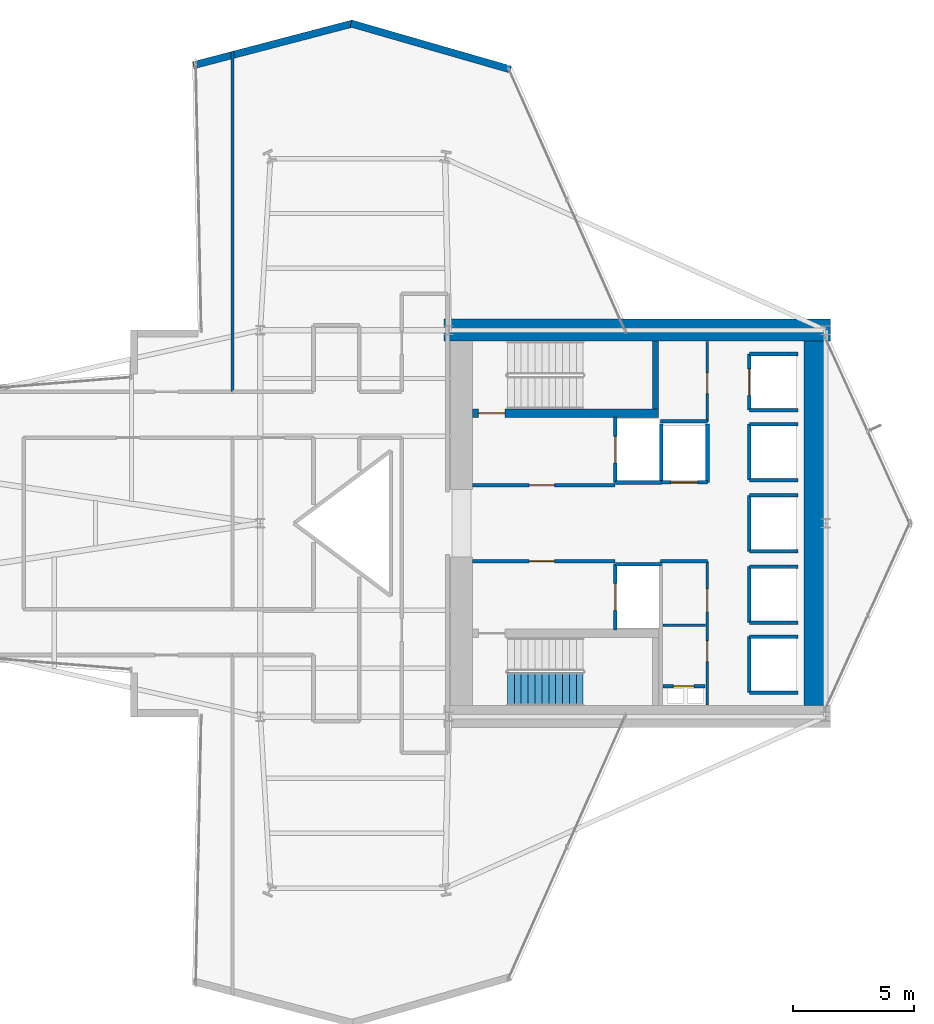
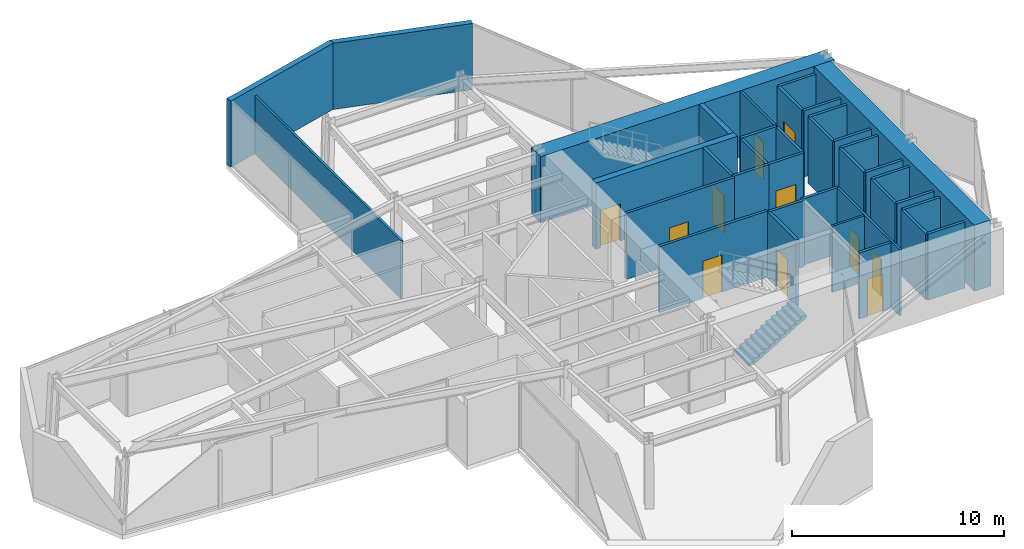
# One storey, part 22 of 24: 37 walls, 11 doors, 1 stair flight, 11 openings, 1 element without a shape of its own.
"""IFC4 building model written with IfcOpenShell, lengths in metres."""

import ifcopenshell
import ifcopenshell.guid

model = None  # the IFC model being written
_history = None  # IfcOwnerHistory: only IFC2X3 demands one
_inside = {}  # id of a spatial element -> (the spatial element, [elements in it])
_under = {}  # id of a project, library or spatial element -> (it, [spatial elements below it])
_declared = {}  # id of a project -> (the project, [libraries it declares])
_typed = {}  # id of a type object -> (the type object, [elements of that type])
_made_of = {}  # id of a material, layer set ... -> (it, [elements and type objects made of it])


def new_model(schema):
    """Start an empty IFC model of exactly this schema.

    Asked for "IFC4X3", IfcOpenShell would pick the latest addendum, in which some entities
    have other attributes; the version numbers below select the first issue.
    IFC2X3 requires an IfcOwnerHistory on every rooted entity: one is made here for all.
    """
    global model, _history
    if schema == "IFC4X3":
        model = ifcopenshell.file(schema_version=(4, 3, 0, 0))
    else:
        model = ifcopenshell.file(schema=schema)
    _inside.clear()
    _under.clear()
    _declared.clear()
    _typed.clear()
    _made_of.clear()
    _history = None
    if model.schema == "IFC2X3":
        org = make("IfcOrganization", Name="unknown")
        user = make(
            "IfcPersonAndOrganization",
            ThePerson=make("IfcPerson", FamilyName="unknown"),
            TheOrganization=org,
        )
        app = make(
            "IfcApplication",
            ApplicationDeveloper=org,
            Version="unknown",
            ApplicationFullName="unknown",
            ApplicationIdentifier="unknown",
        )
        _history = make(
            "IfcOwnerHistory",
            OwningUser=user,
            OwningApplication=app,
            ChangeAction="ADDED",
            CreationDate=0,
        )
    return model


def make(cls, **values):
    """One entity of the class cls with the attributes given. An attribute that is None is left unset."""
    return model.create_entity(
        cls, **{name: value for name, value in values.items() if value is not None}
    )


def rooted(cls, **values):
    """An entity with a GlobalId (a new one), such as an element, a storey or a relation."""
    return make(cls, GlobalId=ifcopenshell.guid.new(), OwnerHistory=_history, **values)


def si_unit(unit_type, name, prefix=None):
    """IfcSIUnit, for example si_unit("LENGTHUNIT", "METRE", prefix="MILLI")."""
    return make("IfcSIUnit", UnitType=unit_type, Prefix=prefix, Name=name)


def assignment(units):
    """IfcUnitAssignment: the units of a project."""
    return None if units is None else make("IfcUnitAssignment", Units=units)


def point(xyz):
    """IfcCartesianPoint."""
    return None if xyz is None else make("IfcCartesianPoint", Coordinates=xyz)


def direction(xyz):
    """IfcDirection."""
    return None if xyz is None else make("IfcDirection", DirectionRatios=xyz)


def frame(location, z_axis=None, x_axis=None):
    """IfcAxis2Placement3D, a coordinate frame: its origin and axes. An axis left out is left unset."""
    return make(
        "IfcAxis2Placement3D",
        Location=point(location),
        Axis=direction(z_axis),
        RefDirection=direction(x_axis),
    )


def frame_2d(location, x_axis=None):
    """IfcAxis2Placement2D, a coordinate frame in the plane: its origin and x axis."""
    return make(
        "IfcAxis2Placement2D", Location=point(location), RefDirection=direction(x_axis)
    )


def origin():
    """The frame at (0, 0, 0) with its axes left unset."""
    return frame((0.0, 0.0, 0.0))


def place(relative_to, where):
    """IfcLocalPlacement: puts the frame where relative to a parent placement (None: the world)."""
    return make(
        "IfcLocalPlacement", PlacementRelTo=relative_to, RelativePlacement=where
    )


def context(
    kind, dimensions, precision=None, world=None, true_north=None, identifier=None
):
    """IfcGeometricRepresentationContext, for example the 3D "Model" context."""
    return make(
        "IfcGeometricRepresentationContext",
        ContextIdentifier=identifier,
        ContextType=kind,
        CoordinateSpaceDimension=dimensions,
        Precision=precision,
        WorldCoordinateSystem=world,
        TrueNorth=true_north,
    )


def subcontext(parent, identifier, kind, view, scale=None):
    """IfcGeometricRepresentationSubContext, for example "Body" below "Model"."""
    return make(
        "IfcGeometricRepresentationSubContext",
        ContextIdentifier=identifier,
        ContextType=kind,
        ParentContext=parent,
        TargetScale=scale,
        TargetView=view,
    )


def project(units=None, contexts=None):
    """IfcProject with its units and contexts."""
    return rooted(
        "IfcProject",
        Name="project",
        RepresentationContexts=contexts,
        UnitsInContext=assignment(units),
    )


def spatial(cls, under=None, at=None, **own):
    """A site, building, storey or space (cls), placed at a placement, below another one or the project."""
    s = rooted(cls, ObjectPlacement=at, **own)
    if under is not None:
        _under.setdefault(under.id(), (under, []))[1].append(s)
    return s


def polyline(points):
    """IfcPolyline through the points."""
    return make("IfcPolyline", Points=[point(p) for p in points])


def profile(cls, at=None, kind="AREA", **sizes):
    """A parametric profile (cls). Its sizes go by their IFC names, for example OverallWidth=200.0."""
    return make(cls, ProfileType=kind, Position=at, **sizes)


def rectangle(**sizes):
    """IfcRectangleProfileDef."""
    return profile("IfcRectangleProfileDef", **sizes)


def outline(outer, holes=None, kind="AREA"):
    """IfcArbitraryClosedProfileDef: a profile drawn as a closed curve; with holes, ...WithVoids."""
    if holes is None:
        return make("IfcArbitraryClosedProfileDef", ProfileType=kind, OuterCurve=outer)
    return make(
        "IfcArbitraryProfileDefWithVoids",
        ProfileType=kind,
        OuterCurve=outer,
        InnerCurves=holes,
    )


def extrude(swept, where, along, depth):
    """IfcExtrudedAreaSolid: the profile swept, set in the frame where, extruded along a direction by depth."""
    return make(
        "IfcExtrudedAreaSolid",
        SweptArea=swept,
        Position=where,
        ExtrudedDirection=direction(along),
        Depth=depth,
    )


def shape(context_of_items, identifier, shape_type, items):
    """IfcShapeRepresentation: the items that make up one representation, for example the "Body"."""
    return make(
        "IfcShapeRepresentation",
        ContextOfItems=context_of_items,
        RepresentationIdentifier=identifier,
        RepresentationType=shape_type,
        Items=items,
    )


def material(Name=None, Category=None):
    """IfcMaterial."""
    return make("IfcMaterial", Name=Name, Category=Category)


def layer(
    of_material, thickness, ventilated=None, Name=None, Category=None, Priority=None
):
    """IfcMaterialLayer: one layer of a wall or slab, of a material (None: an air gap)."""
    return make(
        "IfcMaterialLayer",
        Material=of_material,
        LayerThickness=thickness,
        IsVentilated=ventilated,
        Name=Name,
        Category=Category,
        Priority=Priority,
    )


def layer_set(layers, Name=None):
    """IfcMaterialLayerSet."""
    return make("IfcMaterialLayerSet", MaterialLayers=layers, LayerSetName=Name)


def made_of(thing, what):
    """Note that an element or type object is made of a material, layer set ...; save() writes the relation."""
    if what is not None:
        _made_of.setdefault(what.id(), (what, []))[1].append(thing)
    return thing


def type_object(cls, material=None, **own):
    """A type object (cls), such as IfcWallType, which elements share."""
    return made_of(rooted(cls, **own), material)


def element(
    cls,
    number,
    at=None,
    inside=None,
    cuts=None,
    type_object=None,
    material=None,
    context=None,
    identifier="Body",
    shape_type=None,
    held_by="IfcProductDefinitionShape",
    body=None,
    shapes=None,
    **own,
):
    """One element of the class cls, such as IfcWall. Its Tag is "e" and its number.

    at: its placement. inside: the storey or other place that contains it. cuts: it is an
    opening in that element (IfcRelVoidsElement). A single representation is given by context,
    identifier, shape_type and body (its items); several are given by shapes. held_by: the class
    of the entity that holds the representations. save() writes the other relations.
    """
    e = rooted(cls, Tag="e%d" % number, ObjectPlacement=at, **own)
    if body is not None:
        shapes = [shape(context, identifier, shape_type, body)]
    if shapes is not None:
        e.Representation = make(held_by, Representations=shapes)
    if inside is not None:
        _inside.setdefault(inside.id(), (inside, []))[1].append(e)
    if cuts is not None:
        rooted(
            "IfcRelVoidsElement", RelatingBuildingElement=cuts, RelatedOpeningElement=e
        )
    if type_object is not None:
        _typed.setdefault(type_object.id(), (type_object, []))[1].append(e)
    return made_of(e, material)


def fill(opening, filler):
    """IfcRelFillsElement: the door or window that sits in an opening."""
    return rooted(
        "IfcRelFillsElement",
        RelatingOpeningElement=opening,
        RelatedBuildingElement=filler,
    )


def aggregate(whole, parts):
    """IfcRelAggregates: a whole, such as a stair, and the parts it consists of."""
    return rooted("IfcRelAggregates", RelatingObject=whole, RelatedObjects=parts)


def save(model, path):
    """Write the relations noted so far, then the file.

    IfcRelAggregates (storeys below a building ...), IfcRelContainedInSpatialStructure (elements
    in a storey), IfcRelDefinesByType, IfcRelAssociatesMaterial and IfcRelDeclares: one each for
    every whole, place, type object, material and project.
    """
    for whole, parts in _under.values():
        aggregate(whole, parts)
    for where, things in _inside.values():
        rooted(
            "IfcRelContainedInSpatialStructure",
            RelatedElements=things,
            RelatingStructure=where,
        )
    for kind, things in _typed.values():
        rooted("IfcRelDefinesByType", RelatedObjects=things, RelatingType=kind)
    for what, things in _made_of.values():
        rooted("IfcRelAssociatesMaterial", RelatedObjects=things, RelatingMaterial=what)
    for by, libraries in _declared.values():
        rooted("IfcRelDeclares", RelatingContext=by, RelatedDefinitions=libraries)
    model.write(path)


model = new_model("IFC4")

# Units and contexts
model_context = context("Model", 3, precision=1e-05, world=origin(), true_north=direction((0.0, 1.0)))
body_context = subcontext(model_context, "Body", "Model", "MODEL_VIEW")
ifc_project = project(units=[si_unit("LENGTHUNIT", "METRE"), si_unit("AREAUNIT", "SQUARE_METRE"), si_unit("VOLUMEUNIT", "CUBIC_METRE"), si_unit("PLANEANGLEUNIT", "RADIAN"), si_unit("MASSUNIT", "GRAM", prefix="KILO")], contexts=[model_context])

# Site, building, storey
site_placement = place(None, origin())
site = spatial("IfcSite", under=ifc_project, at=site_placement, CompositionType="ELEMENT")
building_placement = place(site_placement, origin())
building = spatial("IfcBuilding", under=site, at=building_placement, Name="Veymaron Broadcast Tower", CompositionType="ELEMENT")
storey_placement = place(building_placement, frame((0.0, 0.0, 98.550048828125)))
storey = spatial("IfcBuildingStorey", under=building, at=storey_placement, Name="L22", CompositionType="ELEMENT", Elevation=98.550048828125)

# Walls
ifc_material_1 = material(Name="Precast concrete C40/50 with mineral-wool insulation", Category="concrete")
ifc_layer_1 = layer(ifc_material_1, 0.300048828125)
ifc_layer_set_1 = layer_set([ifc_layer_1], Name="Precast concrete C40/50 with mineral-wool insulation")
wall_type_1 = type_object("IfcWallType", Name="WALL-EXT-300", PredefinedType="STANDARD", material=ifc_layer_set_1)
wall_1_placement = place(storey_placement, frame((41.55322265625, 42.79150390625, 0.0), z_axis=(0.0, 0.0, 1.0), x_axis=(-0.960887246738, 0.27693988347, 0.0)))
element("IfcWall", 1, at=wall_1_placement, inside=storey, type_object=wall_type_1, Name="L22 notched corner facade pier 6-1", PredefinedType="STANDARD", context=body_context, shape_type="SweptSolid", body=[
    extrude(rectangle(XDim=6.871826171875, YDim=0.300048828125, at=frame_2d((3.43603515625, 0.0))), origin(), (0.0, 0.0, 1.0), 3.81005859375),
])
wall_2_placement = place(storey_placement, frame((35.0244140625, 44.693603515625, 0.0), z_axis=(0.0, 0.0, 1.0), x_axis=(-0.967350095479, -0.25344386514, 0.0)))
element("IfcWall", 2, at=wall_2_placement, inside=storey, type_object=wall_type_1, Name="L22 notched corner facade pier 7-1", PredefinedType="STANDARD", context=body_context, shape_type="SweptSolid", body=[
    extrude(rectangle(XDim=6.825927734375, YDim=0.300048828125, at=frame_2d((3.4130859375, 0.0))), origin(), (0.0, 0.0, 1.0), 3.81005859375),
])

# Wall, opening, door
ifc_material_2 = material(Name="Gypsum fireboard and steel stud framing", Category="steel")
ifc_layer_2 = layer(ifc_material_2, 0.14990234375)
ifc_layer_set_2 = layer_set([ifc_layer_2], Name="Gypsum fireboard and steel stud framing")
wall_type_2 = type_object("IfcWallType", Name="WALL-FIRE-150", PredefinedType="PARTITIONING", material=ifc_layer_set_2)
wall_3_placement = place(storey_placement, frame((39.97998046875, 25.574951171875, 0.0), z_axis=(0.0, 0.0, 1.0), x_axis=(1.0, 0.0, 0.0)))
wall_3 = element("IfcWall", 3, at=wall_3_placement, inside=storey, type_object=wall_type_2, Name="L22 partition IW-L22-FFLN-S", PredefinedType="PARTITIONING", context=body_context, shape_type="SweptSolid", body=[
    extrude(rectangle(XDim=5.89990234375, YDim=0.14990234375, at=frame_2d((2.949951171875, 0.0))), origin(), (0.0, 0.0, 1.0), 3.81005859375),
])
opening_1_placement = place(wall_3_placement, frame((2.35009765625, 0.0, 0.0)))
opening_1 = element("IfcOpeningElement", 4, at=opening_1_placement, cuts=wall_3, Name="Opening ID-FL1", PredefinedType="OPENING", context=body_context, shape_type="SweptSolid", body=[
    extrude(rectangle(XDim=1.050048828125, YDim=2.14990234375, at=frame_2d((0.52490234375, 1.074951171875))), frame((0.0, 0.0849609375, 0.0), z_axis=(0.0, -1.0, 0.0), x_axis=(1.0, 0.0, 0.0)), (0.0, 0.0, 1.0), 0.169921875),
])
ifc_material_3 = material(Name="Fire-rated painted hollow steel ASTM A653", Category="steel")
door_type_1 = type_object("IfcDoorType", Name="DOOR-FIRE-1050", OperationType="NOTDEFINED", PredefinedType="DOOR", material=ifc_material_3)
door_1_placement = place(opening_1_placement, origin())
door_1 = element("IfcDoor", 5, at=door_1_placement, inside=storey, type_object=door_type_1, Name="L22 door DR-L22-FFLN", OperationType="SINGLE_SWING_LEFT", OverallHeight=2.14990234375, OverallWidth=1.050048828125, PredefinedType="DOOR", context=body_context, shape_type="SweptSolid", body=[
    extrude(rectangle(XDim=1.050048828125, YDim=2.14990234375, at=frame_2d((0.52490234375, 1.074951171875))), frame((0.0, 0.02490234375, 0.0), z_axis=(0.0, -1.0, 0.0), x_axis=(1.0, 0.0, 0.0)), (0.0, 0.0, 1.0), 0.050048828125),
])
fill(opening_1, door_1)

wall_4_placement = place(storey_placement, frame((39.97998046875, 22.425048828125, 0.0), z_axis=(0.0, 0.0, 1.0), x_axis=(1.0, 0.0, 0.0)))
wall_4 = element("IfcWall", 6, at=wall_4_placement, inside=storey, type_object=wall_type_2, Name="L22 partition IW-L22-FFLS-N", PredefinedType="PARTITIONING", context=body_context, shape_type="SweptSolid", body=[
    extrude(rectangle(XDim=5.89990234375, YDim=0.14990234375, at=frame_2d((2.949951171875, 0.0))), origin(), (0.0, 0.0, 1.0), 3.81005859375),
])
opening_2_placement = place(wall_4_placement, frame((2.35009765625, 0.0, 0.0)))
opening_2 = element("IfcOpeningElement", 7, at=opening_2_placement, cuts=wall_4, Name="Opening ID-FL1", PredefinedType="OPENING", context=body_context, shape_type="SweptSolid", body=[
    extrude(rectangle(XDim=1.050048828125, YDim=2.14990234375, at=frame_2d((0.52490234375, 1.074951171875))), frame((0.0, 0.0849609375, 0.0), z_axis=(0.0, -1.0, 0.0), x_axis=(1.0, 0.0, 0.0)), (0.0, 0.0, 1.0), 0.169921875),
])
door_2_placement = place(opening_2_placement, frame((1.050048828125, 0.0, 0.0), z_axis=(0.0, 0.0, 1.0), x_axis=(-1.0, 0.0, 0.0)))
door_2 = element("IfcDoor", 8, at=door_2_placement, inside=storey, type_object=door_type_1, Name="L22 door DR-L22-FFLS", OperationType="SINGLE_SWING_RIGHT", OverallHeight=2.14990234375, OverallWidth=1.050048828125, PredefinedType="DOOR", context=body_context, shape_type="SweptSolid", body=[
    extrude(rectangle(XDim=1.050048828125, YDim=2.14990234375, at=frame_2d((0.52490234375, 1.074951171875))), frame((0.0, 0.02490234375, 0.0), z_axis=(0.0, -1.0, 0.0), x_axis=(1.0, 0.0, 0.0)), (0.0, 0.0, 1.0), 0.050048828125),
])
fill(opening_2, door_2)

wall_5_placement = place(storey_placement, frame((45.89501953125, 25.68994140625, 0.0), z_axis=(0.0, 0.0, 1.0), x_axis=(0.0, 1.0, 0.0)))
wall_5 = element("IfcWall", 9, at=wall_5_placement, inside=storey, type_object=wall_type_2, Name="L22 partition IW-L22-SHW-FFL-1", PredefinedType="PARTITIONING", context=body_context, shape_type="SweptSolid", body=[
    extrude(rectangle(XDim=2.719970703125, YDim=0.14990234375, at=frame_2d((1.35986328125, 0.0))), origin(), (0.0, 0.0, 1.0), 3.81005859375),
])
opening_3_placement = place(wall_5_placement, frame((0.81005859375, 0.0, 0.0)))
opening_3 = element("IfcOpeningElement", 10, at=opening_3_placement, cuts=wall_5, Name="Opening LD", PredefinedType="OPENING", context=body_context, shape_type="SweptSolid", body=[
    extrude(rectangle(XDim=1.10009765625, YDim=2.14990234375, at=frame_2d((0.550048828125, 1.074951171875))), frame((0.0, 0.0849609375, 0.0), z_axis=(0.0, -1.0, 0.0), x_axis=(1.0, 0.0, 0.0)), (0.0, 0.0, 1.0), 0.169921875),
])
ifc_material_4 = material(Name="Brushed stainless steel AISI 304", Category="steel")
door_type_2 = type_object("IfcDoorType", Name="DOOR-LIFT-1100", OperationType="DOUBLE_DOOR_SLIDING", PredefinedType="DOOR", material=ifc_material_4)
door_3_placement = place(opening_3_placement, frame((1.10009765625, 0.0, 0.0), z_axis=(0.0, 0.0, 1.0), x_axis=(-1.0, 0.0, 0.0)))
door_3 = element("IfcDoor", 11, at=door_3_placement, inside=storey, type_object=door_type_2, Name="L22 door LD-L22-FFL-1", OperationType="DOUBLE_DOOR_SLIDING", OverallHeight=2.14990234375, OverallWidth=1.10009765625, PredefinedType="DOOR", context=body_context, shape_type="SweptSolid", body=[
    extrude(rectangle(XDim=1.10009765625, YDim=2.14990234375, at=frame_2d((0.550048828125, 1.074951171875))), frame((0.0, 0.02490234375, 0.0), z_axis=(0.0, -1.0, 0.0), x_axis=(1.0, 0.0, 0.0)), (0.0, 0.0, 1.0), 0.050048828125),
])
fill(opening_3, door_3)

# Wall
wall_6_placement = place(storey_placement, frame((45.89501953125, 25.68994140625, 0.0), z_axis=(0.0, 0.0, 1.0), x_axis=(1.0, 0.0, 0.0)))
element("IfcWall", 12, at=wall_6_placement, inside=storey, type_object=wall_type_2, Name="L22 partition IW-L22-SHS-FFL-1", PredefinedType="PARTITIONING", context=body_context, shape_type="SweptSolid", body=[
    extrude(rectangle(XDim=1.9150390625, YDim=0.14990234375, at=frame_2d((0.95751953125, 0.0))), origin(), (0.0, 0.0, 1.0), 3.81005859375),
])

# Wall, opening, door
wall_7_placement = place(storey_placement, frame((45.89501953125, 19.590087890625, 0.0), z_axis=(0.0, 0.0, 1.0), x_axis=(0.0, 1.0, 0.0)))
wall_7 = element("IfcWall", 13, at=wall_7_placement, inside=storey, type_object=wall_type_2, Name="L22 partition IW-L22-SHW-FFL-2", PredefinedType="PARTITIONING", context=body_context, shape_type="SweptSolid", body=[
    extrude(rectangle(XDim=2.719970703125, YDim=0.14990234375, at=frame_2d((1.35986328125, 0.0))), origin(), (0.0, 0.0, 1.0), 3.81005859375),
])
opening_4_placement = place(wall_7_placement, frame((0.81005859375, 0.0, 0.0)))
opening_4 = element("IfcOpeningElement", 14, at=opening_4_placement, cuts=wall_7, Name="Opening LD", PredefinedType="OPENING", context=body_context, shape_type="SweptSolid", body=[
    extrude(rectangle(XDim=1.10009765625, YDim=2.14990234375, at=frame_2d((0.550048828125, 1.074951171875))), frame((0.0, 0.0849609375, 0.0), z_axis=(0.0, -1.0, 0.0), x_axis=(1.0, 0.0, 0.0)), (0.0, 0.0, 1.0), 0.169921875),
])
door_4_placement = place(opening_4_placement, frame((1.10009765625, 0.0, 0.0), z_axis=(0.0, 0.0, 1.0), x_axis=(-1.0, 0.0, 0.0)))
door_4 = element("IfcDoor", 15, at=door_4_placement, inside=storey, type_object=door_type_2, Name="L22 door LD-L22-FFL-2", OperationType="DOUBLE_DOOR_SLIDING", OverallHeight=2.14990234375, OverallWidth=1.10009765625, PredefinedType="DOOR", context=body_context, shape_type="SweptSolid", body=[
    extrude(rectangle(XDim=1.10009765625, YDim=2.14990234375, at=frame_2d((0.550048828125, 1.074951171875))), frame((0.0, 0.02490234375, 0.0), z_axis=(0.0, -1.0, 0.0), x_axis=(1.0, 0.0, 0.0)), (0.0, 0.0, 1.0), 0.050048828125),
])
fill(opening_4, door_4)

# Wall
wall_8_placement = place(storey_placement, frame((45.89501953125, 22.31005859375, 0.0), z_axis=(0.0, 0.0, 1.0), x_axis=(1.0, 0.0, 0.0)))
element("IfcWall", 16, at=wall_8_placement, inside=storey, type_object=wall_type_2, Name="L22 partition IW-L22-SHN-FFL-2", PredefinedType="PARTITIONING", context=body_context, shape_type="SweptSolid", body=[
    extrude(rectangle(XDim=1.9150390625, YDim=0.14990234375, at=frame_2d((0.95751953125, 0.0))), origin(), (0.0, 0.0, 1.0), 3.81005859375),
])

# Wall, opening, door
wall_9_placement = place(storey_placement, frame((47.7900390625, 25.695068359375, 0.0), z_axis=(0.0, 0.0, 1.0), x_axis=(1.0, 0.0, 0.0)))
wall_9 = element("IfcWall", 17, at=wall_9_placement, inside=storey, type_object=wall_type_2, Name="L22 partition IW-L22-SHS-SL-1", PredefinedType="PARTITIONING", context=body_context, shape_type="SweptSolid", body=[
    extrude(rectangle(XDim=1.919921875, YDim=0.14990234375, at=frame_2d((0.9599609375, 0.0))), origin(), (0.0, 0.0, 1.0), 3.81005859375),
])
opening_5_placement = place(wall_9_placement, frame((0.409912109375, 0.0, 0.0)))
opening_5 = element("IfcOpeningElement", 18, at=opening_5_placement, cuts=wall_9, Name="Opening LD", PredefinedType="OPENING", context=body_context, shape_type="SweptSolid", body=[
    extrude(rectangle(XDim=1.10009765625, YDim=2.14990234375, at=frame_2d((0.550048828125, 1.074951171875))), frame((0.0, 0.0849609375, 0.0), z_axis=(0.0, -1.0, 0.0), x_axis=(1.0, 0.0, 0.0)), (0.0, 0.0, 1.0), 0.169921875),
])
door_5_placement = place(opening_5_placement, frame((1.10009765625, 0.0, 0.0), z_axis=(0.0, 0.0, 1.0), x_axis=(-1.0, 0.0, 0.0)))
door_5 = element("IfcDoor", 19, at=door_5_placement, inside=storey, type_object=door_type_2, Name="L22 door LD-L22-SL-1", OperationType="DOUBLE_DOOR_SLIDING", OverallHeight=2.14990234375, OverallWidth=1.10009765625, PredefinedType="DOOR", context=body_context, shape_type="SweptSolid", body=[
    extrude(rectangle(XDim=1.10009765625, YDim=2.14990234375, at=frame_2d((0.550048828125, 1.074951171875))), frame((0.0, 0.02490234375, 0.0), z_axis=(0.0, -1.0, 0.0), x_axis=(1.0, 0.0, 0.0)), (0.0, 0.0, 1.0), 0.050048828125),
])
fill(opening_5, door_5)

# Walls
for number, where, z_axis, x_axis, name in (
    (20, (47.7900390625, 25.695068359375, 0.0), (0.0, 0.0, 1.0), (0.0, 1.0, 0.0), "L22 partition IW-L22-SHW-SL-1"),
    (21, (49.7099609375, 25.695068359375, 0.0), (0.0, 0.0, 1.0), (0.0, 1.0, 0.0), "L22 partition IW-L22-SHE-SL-1"),
):
    element("IfcWall", number, at=place(storey_placement, frame(where, z_axis=z_axis, x_axis=x_axis)), inside=storey, type_object=wall_type_2, Name=name, PredefinedType="PARTITIONING", context=body_context, shape_type="SweptSolid", body=[
        extrude(rectangle(XDim=2.4150390625, YDim=0.14990234375, at=frame_2d((1.20751953125, 0.0))), origin(), (0.0, 0.0, 1.0), 3.81005859375),
    ])

# Wall, opening, door
wall_10_placement = place(storey_placement, frame((51.445068359375, 28.68994140625, 0.0), z_axis=(0.0, 0.0, 1.0), x_axis=(0.0, 1.0, 0.0)))
wall_10 = element("IfcWall", 22, at=wall_10_placement, inside=storey, type_object=wall_type_2, Name="L22 partition IW-L22-SHW-PL1", PredefinedType="PARTITIONING", context=body_context, shape_type="SweptSolid", body=[
    extrude(rectangle(XDim=2.320068359375, YDim=0.14990234375, at=frame_2d((1.16015625, 0.0))), origin(), (0.0, 0.0, 1.0), 3.81005859375),
])
opening_6_placement = place(wall_10_placement, frame((0.610107421875, 0.0, 0.0)))
opening_6 = element("IfcOpeningElement", 23, at=opening_6_placement, cuts=wall_10, Name="Opening LD", PredefinedType="OPENING", context=body_context, shape_type="SweptSolid", body=[
    extrude(rectangle(XDim=1.10009765625, YDim=2.14990234375, at=frame_2d((0.550048828125, 1.074951171875))), frame((0.0, 0.0849609375, 0.0), z_axis=(0.0, -1.0, 0.0), x_axis=(1.0, 0.0, 0.0)), (0.0, 0.0, 1.0), 0.169921875),
])
door_6_placement = place(opening_6_placement, frame((1.10009765625, 0.0, 0.0), z_axis=(0.0, 0.0, 1.0), x_axis=(-1.0, 0.0, 0.0)))
door_6 = element("IfcDoor", 24, at=door_6_placement, inside=storey, type_object=door_type_2, Name="L22 door LD-L22-PL1", OperationType="DOUBLE_DOOR_SLIDING", OverallHeight=2.14990234375, OverallWidth=1.10009765625, PredefinedType="DOOR", context=body_context, shape_type="SweptSolid", body=[
    extrude(rectangle(XDim=1.10009765625, YDim=2.14990234375, at=frame_2d((0.550048828125, 1.074951171875))), frame((0.0, 0.02490234375, 0.0), z_axis=(0.0, -1.0, 0.0), x_axis=(1.0, 0.0, 0.0)), (0.0, 0.0, 1.0), 0.050048828125),
])
fill(opening_6, door_6)

# Walls
for number, where, z_axis, x_axis, name in (
    (25, (51.445068359375, 28.68994140625, 0.0), (0.0, 0.0, 1.0), (1.0, 0.0, 0.0), "L22 partition IW-L22-SHS-PL1"),
    (26, (51.445068359375, 31.010009765625, 0.0), (0.0, 0.0, 1.0), (1.0, 0.0, 0.0), "L22 partition IW-L22-SHN-PL1"),
):
    element("IfcWall", number, at=place(storey_placement, frame(where, z_axis=z_axis, x_axis=x_axis)), inside=storey, type_object=wall_type_2, Name=name, PredefinedType="PARTITIONING", context=body_context, shape_type="SweptSolid", body=[
        extrude(rectangle(XDim=2.014892578125, YDim=0.14990234375, at=frame_2d((1.00732421875, 0.0))), origin(), (0.0, 0.0, 1.0), 3.81005859375),
    ])
wall_11_placement = place(storey_placement, frame((51.445068359375, 25.7900390625, 0.0), z_axis=(0.0, 0.0, 1.0), x_axis=(0.0, 1.0, 0.0)))
element("IfcWall", 27, at=wall_11_placement, inside=storey, type_object=wall_type_2, Name="L22 partition IW-L22-SHW-PM1", PredefinedType="PARTITIONING", context=body_context, shape_type="SweptSolid", body=[
    extrude(rectangle(XDim=2.320068359375, YDim=0.14990234375, at=frame_2d((1.16015625, 0.0))), origin(), (0.0, 0.0, 1.0), 3.81005859375),
])
for number, where, z_axis, x_axis, name in (
    (28, (51.445068359375, 25.7900390625, 0.0), (0.0, 0.0, 1.0), (1.0, 0.0, 0.0), "L22 partition IW-L22-SHS-PM1"),
    (29, (51.445068359375, 28.110107421875, 0.0), (0.0, 0.0, 1.0), (1.0, 0.0, 0.0), "L22 partition IW-L22-SHN-PM1"),
):
    element("IfcWall", number, at=place(storey_placement, frame(where, z_axis=z_axis, x_axis=x_axis)), inside=storey, type_object=wall_type_2, Name=name, PredefinedType="PARTITIONING", context=body_context, shape_type="SweptSolid", body=[
        extrude(rectangle(XDim=2.014892578125, YDim=0.14990234375, at=frame_2d((1.00732421875, 0.0))), origin(), (0.0, 0.0, 1.0), 3.81005859375),
    ])
wall_12_placement = place(storey_placement, frame((51.445068359375, 19.889892578125, 0.0), z_axis=(0.0, 0.0, 1.0), x_axis=(0.0, 1.0, 0.0)))
element("IfcWall", 30, at=wall_12_placement, inside=storey, type_object=wall_type_2, Name="L22 partition IW-L22-SHW-PM2", PredefinedType="PARTITIONING", context=body_context, shape_type="SweptSolid", body=[
    extrude(rectangle(XDim=2.320068359375, YDim=0.14990234375, at=frame_2d((1.16015625, 0.0))), origin(), (0.0, 0.0, 1.0), 3.81005859375),
])
for number, where, z_axis, x_axis, name in (
    (31, (51.445068359375, 19.889892578125, 0.0), (0.0, 0.0, 1.0), (1.0, 0.0, 0.0), "L22 partition IW-L22-SHS-PM2"),
    (32, (51.445068359375, 22.2099609375, 0.0), (0.0, 0.0, 1.0), (1.0, 0.0, 0.0), "L22 partition IW-L22-SHN-PM2"),
):
    element("IfcWall", number, at=place(storey_placement, frame(where, z_axis=z_axis, x_axis=x_axis)), inside=storey, type_object=wall_type_2, Name=name, PredefinedType="PARTITIONING", context=body_context, shape_type="SweptSolid", body=[
        extrude(rectangle(XDim=2.014892578125, YDim=0.14990234375, at=frame_2d((1.00732421875, 0.0))), origin(), (0.0, 0.0, 1.0), 3.81005859375),
    ])
wall_13_placement = place(storey_placement, frame((51.445068359375, 22.840087890625, 0.0), z_axis=(0.0, 0.0, 1.0), x_axis=(0.0, 1.0, 0.0)))
element("IfcWall", 33, at=wall_13_placement, inside=storey, type_object=wall_type_2, Name="L22 partition IW-L22-SHW-PM3", PredefinedType="PARTITIONING", context=body_context, shape_type="SweptSolid", body=[
    extrude(rectangle(XDim=2.31982421875, YDim=0.14990234375, at=frame_2d((1.159912109375, 0.0))), origin(), (0.0, 0.0, 1.0), 3.81005859375),
])
for number, where, z_axis, x_axis, name in (
    (34, (51.445068359375, 22.840087890625, 0.0), (0.0, 0.0, 1.0), (1.0, 0.0, 0.0), "L22 partition IW-L22-SHS-PM3"),
    (35, (51.445068359375, 25.159912109375, 0.0), (0.0, 0.0, 1.0), (1.0, 0.0, 0.0), "L22 partition IW-L22-SHN-PM3"),
):
    element("IfcWall", number, at=place(storey_placement, frame(where, z_axis=z_axis, x_axis=x_axis)), inside=storey, type_object=wall_type_2, Name=name, PredefinedType="PARTITIONING", context=body_context, shape_type="SweptSolid", body=[
        extrude(rectangle(XDim=2.014892578125, YDim=0.14990234375, at=frame_2d((1.00732421875, 0.0))), origin(), (0.0, 0.0, 1.0), 3.81005859375),
    ])
wall_14_placement = place(storey_placement, frame((51.445068359375, 16.989990234375, 0.0), z_axis=(0.0, 0.0, 1.0), x_axis=(0.0, 1.0, 0.0)))
element("IfcWall", 36, at=wall_14_placement, inside=storey, type_object=wall_type_2, Name="L22 partition IW-L22-SHW-PH1", PredefinedType="PARTITIONING", context=body_context, shape_type="SweptSolid", body=[
    extrude(rectangle(XDim=2.320068359375, YDim=0.14990234375, at=frame_2d((1.16015625, 0.0))), origin(), (0.0, 0.0, 1.0), 3.81005859375),
])
for number, where, z_axis, x_axis, name in (
    (37, (51.445068359375, 16.989990234375, 0.0), (0.0, 0.0, 1.0), (1.0, 0.0, 0.0), "L22 partition IW-L22-SHS-PH1"),
    (38, (51.445068359375, 19.31005859375, 0.0), (0.0, 0.0, 1.0), (1.0, 0.0, 0.0), "L22 partition IW-L22-SHN-PH1"),
):
    element("IfcWall", number, at=place(storey_placement, frame(where, z_axis=z_axis, x_axis=x_axis)), inside=storey, type_object=wall_type_2, Name=name, PredefinedType="PARTITIONING", context=body_context, shape_type="SweptSolid", body=[
        extrude(rectangle(XDim=2.014892578125, YDim=0.14990234375, at=frame_2d((1.00732421875, 0.0))), origin(), (0.0, 0.0, 1.0), 3.81005859375),
    ])

# Wall, opening, door
wall_15_placement = place(storey_placement, frame((47.8798828125, 17.260009765625, 0.0), z_axis=(0.0, 0.0, 1.0), x_axis=(1.0, 0.0, 0.0)))
wall_15 = element("IfcWall", 39, at=wall_15_placement, inside=storey, type_object=wall_type_2, Name="L22 partition IW-L22-RIS-N", PredefinedType="PARTITIONING", context=body_context, shape_type="SweptSolid", body=[
    extrude(rectangle(XDim=1.72021484375, YDim=0.14990234375, at=frame_2d((0.860107421875, 0.0))), origin(), (0.0, 0.0, 1.0), 3.81005859375),
])
opening_7_placement = place(wall_15_placement, frame((0.419921875, 0.0, 0.0)))
opening_7 = element("IfcOpeningElement", 40, at=opening_7_placement, cuts=wall_15, Name="Opening ID-RS1", PredefinedType="OPENING", context=body_context, shape_type="SweptSolid", body=[
    extrude(rectangle(XDim=0.85009765625, YDim=2.14990234375, at=frame_2d((0.425048828125, 1.074951171875))), frame((0.0, 0.0849609375, 0.0), z_axis=(0.0, -1.0, 0.0), x_axis=(1.0, 0.0, 0.0)), (0.0, 0.0, 1.0), 0.169921875),
])
ifc_material_5 = material(Name="Fire-rated powder-coated steel riser leaf", Category="steel")
door_type_3 = type_object("IfcDoorType", Name="DOOR-RIS-850", OperationType="NOTDEFINED", PredefinedType="TRAPDOOR", material=ifc_material_5)
door_7_placement = place(opening_7_placement, origin())
door_7 = element("IfcDoor", 41, at=door_7_placement, inside=storey, type_object=door_type_3, Name="L22 door DR-L22-RIS", OperationType="SINGLE_SWING_LEFT", OverallHeight=2.14990234375, OverallWidth=0.85009765625, PredefinedType="TRAPDOOR", context=body_context, shape_type="SweptSolid", body=[
    extrude(rectangle(XDim=0.85009765625, YDim=2.14990234375, at=frame_2d((0.425048828125, 1.074951171875))), frame((0.0, 0.02490234375, 0.0), z_axis=(0.0, -1.0, 0.0), x_axis=(1.0, 0.0, 0.0)), (0.0, 0.0, 1.0), 0.050048828125),
])
fill(opening_7, door_7)

# Walls
for number, where, z_axis, x_axis, name in (
    (42, (47.760009765625, 22.425048828125, 0.0), (0.0, 0.0, 1.0), (1.0, 0.0, 0.0), "L22 partition IW-L22-SM-N"),
    (43, (47.760009765625, 28.219970703125, 0.0), (0.0, 0.0, 1.0), (1.0, 0.0, 0.0), "L22 partition IW-L22-NM-S"),
):
    element("IfcWall", number, at=place(storey_placement, frame(where, z_axis=z_axis, x_axis=x_axis)), inside=storey, type_object=wall_type_2, Name=name, PredefinedType="PARTITIONING", context=body_context, shape_type="SweptSolid", body=[
        extrude(rectangle(XDim=1.9599609375, YDim=0.14990234375, at=frame_2d((0.97998046875, 0.0))), origin(), (0.0, 0.0, 1.0), 3.81005859375),
    ])
ifc_material_6 = material(Name="Acoustic gypsum board and galvanized stud", Category="gypsum")
ifc_layer_3 = layer(ifc_material_6, 0.1201171875)
ifc_layer_set_3 = layer_set([ifc_layer_3], Name="Acoustic gypsum board and galvanized stud")
wall_type_3 = type_object("IfcWallType", Name="WALL-PART-120", PredefinedType="PARTITIONING", material=ifc_layer_set_3)
wall_16_placement = place(storey_placement, frame((47.860107421875, 19.780029296875, 0.0), z_axis=(0.0, 0.0, 1.0), x_axis=(1.0, 0.0, 0.0)))
element("IfcWall", 44, at=wall_16_placement, inside=storey, type_object=wall_type_3, Name="L22 partition IW-L22-SM-DIV", PredefinedType="PARTITIONING", context=body_context, shape_type="SweptSolid", body=[
    extrude(rectangle(XDim=1.760009765625, YDim=0.1201171875, at=frame_2d((0.8798828125, 0.0))), origin(), (0.0, 0.0, 1.0), 3.81005859375),
])

# Wall, openings, doors
wall_17_placement = place(storey_placement, frame((49.699951171875, 16.47998046875, 0.0), z_axis=(0.0, 0.0, 1.0), x_axis=(0.0, 1.0, 0.0)))
wall_17 = element("IfcWall", 45, at=wall_17_placement, inside=storey, type_object=wall_type_3, Name="L22 partition IW-L22-SM-E", PredefinedType="PARTITIONING", context=body_context, shape_type="SweptSolid", body=[
    extrude(rectangle(XDim=5.945068359375, YDim=0.1201171875, at=frame_2d((2.97265625, 0.0))), origin(), (0.0, 0.0, 1.0), 3.81005859375),
])
opening_8_placement = place(wall_17_placement, frame((1.800048828125, 0.0, 0.0)))
opening_8 = element("IfcOpeningElement", 46, at=opening_8_placement, cuts=wall_17, Name="Opening ID-WC1", PredefinedType="OPENING", context=body_context, shape_type="SweptSolid", body=[
    extrude(rectangle(XDim=0.85009765625, YDim=2.14990234375, at=frame_2d((0.425048828125, 1.074951171875))), frame((0.0, 0.070068359375, 0.0), z_axis=(0.0, -1.0, 0.0), x_axis=(1.0, 0.0, 0.0)), (0.0, 0.0, 1.0), 0.14013671875),
])
opening_9_placement = place(wall_17_placement, frame((3.85009765625, 0.0, 0.0)))
opening_9 = element("IfcOpeningElement", 47, at=opening_9_placement, cuts=wall_17, Name="Opening ID-RM1", PredefinedType="OPENING", context=body_context, shape_type="SweptSolid", body=[
    extrude(rectangle(XDim=0.949951171875, YDim=2.14990234375, at=frame_2d((0.47509765625, 1.074951171875))), frame((0.0, 0.070068359375, 0.0), z_axis=(0.0, -1.0, 0.0), x_axis=(1.0, 0.0, 0.0)), (0.0, 0.0, 1.0), 0.14013671875),
])
ifc_material_7 = material(Name="Moisture-resistant high-pressure laminate timber", Category="wood")
door_type_4 = type_object("IfcDoorType", Name="DOOR-INT-850", OperationType="NOTDEFINED", PredefinedType="DOOR", material=ifc_material_7)
door_8_placement = place(opening_8_placement, frame((0.85009765625, 0.0, 0.0), z_axis=(0.0, 0.0, 1.0), x_axis=(-1.0, 0.0, 0.0)))
door_8 = element("IfcDoor", 48, at=door_8_placement, inside=storey, type_object=door_type_4, Name="L22 door DR-L22-SWC", OperationType="SINGLE_SWING_LEFT", OverallHeight=2.14990234375, OverallWidth=0.85009765625, PredefinedType="DOOR", context=body_context, shape_type="SweptSolid", body=[
    extrude(rectangle(XDim=0.85009765625, YDim=2.14990234375, at=frame_2d((0.425048828125, 1.074951171875))), frame((0.0, 0.02490234375, 0.0), z_axis=(0.0, -1.0, 0.0), x_axis=(1.0, 0.0, 0.0)), (0.0, 0.0, 1.0), 0.050048828125),
])
fill(opening_8, door_8)
ifc_material_8 = material(Name="Acoustic solid-core European oak veneer timber", Category="wood")
door_type_5 = type_object("IfcDoorType", Name="DOOR-INT-950", OperationType="NOTDEFINED", PredefinedType="DOOR", material=ifc_material_8)
door_9_placement = place(opening_9_placement, frame((0.949951171875, 0.0, 0.0), z_axis=(0.0, 0.0, 1.0), x_axis=(-1.0, 0.0, 0.0)))
door_9 = element("IfcDoor", 49, at=door_9_placement, inside=storey, type_object=door_type_5, Name="L22 door DR-L22-AWC", OperationType="SINGLE_SWING_RIGHT", OverallHeight=2.14990234375, OverallWidth=0.949951171875, PredefinedType="DOOR", context=body_context, shape_type="SweptSolid", body=[
    extrude(rectangle(XDim=0.949951171875, YDim=2.14990234375, at=frame_2d((0.47509765625, 1.074951171875))), frame((0.0, 0.02490234375, 0.0), z_axis=(0.0, -1.0, 0.0), x_axis=(1.0, 0.0, 0.0)), (0.0, 0.0, 1.0), 0.050048828125),
])
fill(opening_9, door_9)

# Wall, opening, door
wall_18_placement = place(storey_placement, frame((49.699951171875, 28.219970703125, 0.0), z_axis=(0.0, 0.0, 1.0), x_axis=(0.0, 1.0, 0.0)))
wall_18 = element("IfcWall", 50, at=wall_18_placement, inside=storey, type_object=wall_type_3, Name="L22 partition IW-L22-NM-E", PredefinedType="PARTITIONING", context=body_context, shape_type="SweptSolid", body=[
    extrude(rectangle(XDim=3.300048828125, YDim=0.1201171875, at=frame_2d((1.64990234375, 0.0))), origin(), (0.0, 0.0, 1.0), 3.81005859375),
])
opening_10_placement = place(wall_18_placement, frame((1.14990234375, 0.0, 0.0)))
opening_10 = element("IfcOpeningElement", 51, at=opening_10_placement, cuts=wall_18, Name="Opening ID-WC1", PredefinedType="OPENING", context=body_context, shape_type="SweptSolid", body=[
    extrude(rectangle(XDim=0.85009765625, YDim=2.14990234375, at=frame_2d((0.425048828125, 1.074951171875))), frame((0.0, 0.070068359375, 0.0), z_axis=(0.0, -1.0, 0.0), x_axis=(1.0, 0.0, 0.0)), (0.0, 0.0, 1.0), 0.14013671875),
])
door_10_placement = place(opening_10_placement, frame((0.85009765625, 0.0, 0.0), z_axis=(0.0, 0.0, 1.0), x_axis=(-1.0, 0.0, 0.0)))
door_10 = element("IfcDoor", 52, at=door_10_placement, inside=storey, type_object=door_type_4, Name="L22 door DR-L22-NMR", OperationType="SINGLE_SWING_LEFT", OverallHeight=2.14990234375, OverallWidth=0.85009765625, PredefinedType="DOOR", context=body_context, shape_type="SweptSolid", body=[
    extrude(rectangle(XDim=0.85009765625, YDim=2.14990234375, at=frame_2d((0.425048828125, 1.074951171875))), frame((0.0, 0.02490234375, 0.0), z_axis=(0.0, -1.0, 0.0), x_axis=(1.0, 0.0, 0.0)), (0.0, 0.0, 1.0), 0.050048828125),
])
fill(opening_10, door_10)

# Walls
wall_19_placement = place(storey_placement, frame((30.0390625, 29.449951171875, 0.0), z_axis=(0.0, 0.0, 1.0), x_axis=(0.0, 1.0, 0.0)))
element("IfcWall", 53, at=wall_19_placement, inside=storey, type_object=wall_type_3, Name="L22 partition IW-L22-P34", PredefinedType="PARTITIONING", context=body_context, shape_type="SweptSolid", body=[
    extrude(rectangle(XDim=14.08203125, YDim=0.1201171875, at=frame_2d((7.041015625, 0.0))), origin(), (0.0, 0.0, 1.0), 3.337890625),
])
ifc_material_9 = material(Name="Concrete C50/60", Category="concrete")
ifc_layer_4 = layer(ifc_material_9, 0.25)
ifc_layer_set_4 = layer_set([ifc_layer_4], Name="Concrete C50/60")
wall_type_4 = type_object("IfcWallType", Name="WALL-SHEAR-250", PredefinedType="SHEAR", material=ifc_layer_set_4)
wall_20_placement = place(storey_placement, frame((47.56494140625, 28.72998046875, 0.0), z_axis=(0.0, 0.0, 1.0), x_axis=(0.0, 1.0, 0.0)))
element("IfcWall", 54, at=wall_20_placement, inside=storey, type_object=wall_type_4, Name="L22 Core Wall north stair east shear", PredefinedType="SHEAR", context=body_context, shape_type="SweptSolid", body=[
    extrude(rectangle(XDim=2.820068359375, YDim=0.25, at=frame_2d((1.41015625, 0.0))), origin(), (0.0, 0.0, 1.0), 3.81005859375),
])

# Wall, opening, door
ifc_layer_5 = layer(ifc_material_9, 0.35009765625)
ifc_layer_set_5 = layer_set([ifc_layer_5], Name="Concrete C50/60")
wall_type_5 = type_object("IfcWallType", Name="WALL-SHEAR-350", PredefinedType="SHEAR", material=ifc_layer_set_5)
wall_21_placement = place(storey_placement, frame((39.97998046875, 28.554931640625, 0.0), z_axis=(0.0, 0.0, 1.0), x_axis=(1.0, 0.0, 0.0)))
wall_21 = element("IfcWall", 55, at=wall_21_placement, inside=storey, type_object=wall_type_5, Name="L22 Core Wall north stair spine", PredefinedType="SHEAR", context=body_context, shape_type="SweptSolid", body=[
    extrude(rectangle(XDim=7.7099609375, YDim=0.35009765625, at=frame_2d((3.85498046875, 0.0))), origin(), (0.0, 0.0, 1.0), 3.81005859375),
])
opening_11_placement = place(wall_21_placement, frame((0.25, 0.0, 0.0)))
opening_11 = element("IfcOpeningElement", 56, at=opening_11_placement, cuts=wall_21, Name="Opening ID-ST1", PredefinedType="OPENING", context=body_context, shape_type="SweptSolid", body=[
    extrude(rectangle(XDim=1.10009765625, YDim=2.14990234375, at=frame_2d((0.550048828125, 1.074951171875))), frame((0.0, 0.18505859375, 0.0), z_axis=(0.0, -1.0, 0.0), x_axis=(1.0, 0.0, 0.0)), (0.0, 0.0, 1.0), 0.3701171875),
])
door_type_6 = type_object("IfcDoorType", Name="DOOR-STAIR-1100", OperationType="NOTDEFINED", PredefinedType="DOOR", material=ifc_material_3)
door_11_placement = place(opening_11_placement, origin())
door_11 = element("IfcDoor", 57, at=door_11_placement, inside=storey, type_object=door_type_6, Name="L22 exit stair ST1 fire door", OperationType="SINGLE_SWING_LEFT", OverallHeight=2.14990234375, OverallWidth=1.10009765625, PredefinedType="DOOR", context=body_context, shape_type="SweptSolid", body=[
    extrude(rectangle(XDim=1.10009765625, YDim=2.14990234375, at=frame_2d((0.550048828125, 1.074951171875))), frame((0.0, 0.02490234375, 0.0), z_axis=(0.0, -1.0, 0.0), x_axis=(1.0, 0.0, 0.0)), (0.0, 0.0, 1.0), 0.050048828125),
])
fill(opening_11, door_11)

# Walls
ifc_material_10 = material(Name="Concrete C70/85", Category="concrete")
ifc_layer_6 = layer(ifc_material_10, 0.89990234375)
ifc_layer_set_6 = layer_set([ifc_layer_6], Name="Concrete C70/85")
wall_type_6 = type_object("IfcWallType", Name="WALL-SHEAR-900", PredefinedType="SHEAR", material=ifc_layer_set_6)
wall_22_placement = place(storey_placement, frame((38.800048828125, 32.0, 0.0), z_axis=(0.0, 0.0, 1.0), x_axis=(1.0, 0.0, 0.0)))
element("IfcWall", 58, at=wall_22_placement, inside=storey, type_object=wall_type_6, Name="L22 Core Wall north shear", PredefinedType="SHEAR", context=body_context, shape_type="SweptSolid", body=[
    extrude(rectangle(XDim=16.0, YDim=0.89990234375, at=frame_2d((8.0, 0.0))), origin(), (0.0, 0.0, 1.0), 3.81005859375),
])
wall_23_placement = place(storey_placement, frame((54.14990234375, 16.449951171875, 0.0), z_axis=(0.0, 0.0, 1.0), x_axis=(0.0, 1.0, 0.0)))
element("IfcWall", 59, at=wall_23_placement, inside=storey, type_object=wall_type_6, Name="L22 Core Wall east shear", PredefinedType="SHEAR", context=body_context, shape_type="SweptSolid", body=[
    extrude(rectangle(XDim=15.10009765625, YDim=0.89990234375, at=frame_2d((7.550048828125, 0.0))), origin(), (0.0, 0.0, 1.0), 3.81005859375),
])

# Stair, stair flight
stair_type = type_object("IfcStairType", Name="STAIR-CORE-2", PredefinedType="HALF_TURN_STAIR", material=ifc_material_9)
stair_placement = place(storey_placement, origin())
stair = element("IfcStair", 60, at=stair_placement, inside=storey, type_object=stair_type, Name="L22 South protected dog-leg exit stair ST2", PredefinedType="HALF_TURN_STAIR")
ifc_material_11 = material(Name="Precast concrete C50/60", Category="concrete")
stair_flight_type = type_object("IfcStairFlightType", Name="FLT-CORE-RC", PredefinedType="STRAIGHT", material=ifc_material_11)
stair_flight_placement = place(storey_placement, frame((41.429931640625, 17.139892578125, 0.0), z_axis=(0.0, 0.0, 1.0), x_axis=(1.0, 0.0, 0.0)))
stair_flight = element("IfcStairFlight", 61, at=stair_flight_placement, type_object=stair_flight_type, Name="ST2 flight 1", NumberOfRisers=12, NumberOfTreads=11, PredefinedType="STRAIGHT", RiserHeight=0.16875, TreadLength=0.285, context=body_context, shape_type="SweptSolid", body=[
    extrude(outline(polyline([(0.0, 0.0), (0.0, 0.168701171875), (0.284912109375, 0.168701171875), (0.284912109375, 0.33740234375), (0.570068359375, 0.33740234375), (0.570068359375, 0.50634765625), (0.85498046875, 0.50634765625), (0.85498046875, 0.675048828125), (1.139892578125, 0.675048828125), (1.139892578125, 0.84375), (1.425048828125, 0.84375), (1.425048828125, 1.012451171875), (1.7099609375, 1.012451171875), (1.7099609375, 1.18115234375), (1.9951171875, 1.18115234375), (1.9951171875, 1.35009765625), (2.280029296875, 1.35009765625), (2.280029296875, 1.518798828125), (2.56494140625, 1.518798828125), (2.56494140625, 1.6875), (2.85009765625, 1.6875), (2.85009765625, 1.856201171875), (3.135009765625, 1.856201171875), (3.135009765625, 2.02490234375), (3.135009765625, 1.68212890625), (0.294189453125, 0.0), (0.0, 0.0)])), frame((0.0, 0.68994140625, 0.0), z_axis=(0.0, -1.0, 0.0), x_axis=(1.0, 0.0, 0.0)), (0.0, 0.0, 1.0), 1.3798828125),
])
aggregate(stair, [stair_flight])

save(model, "model.ifc")
